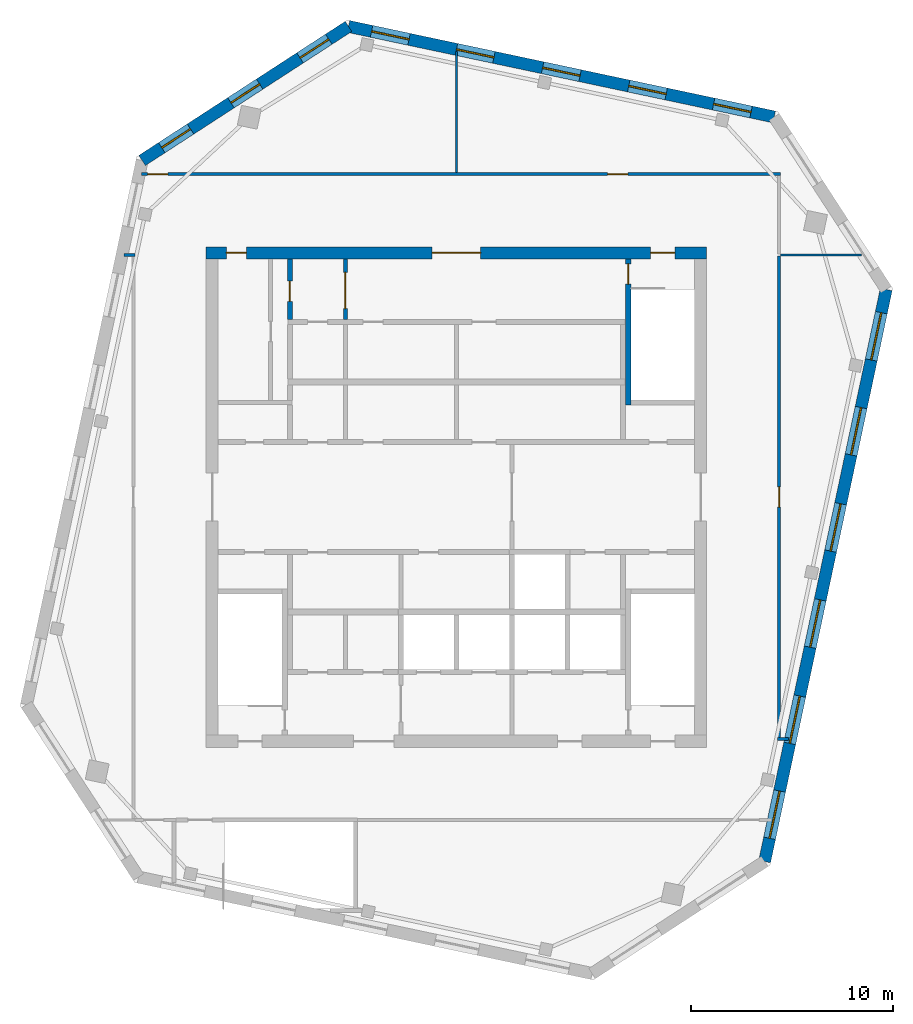
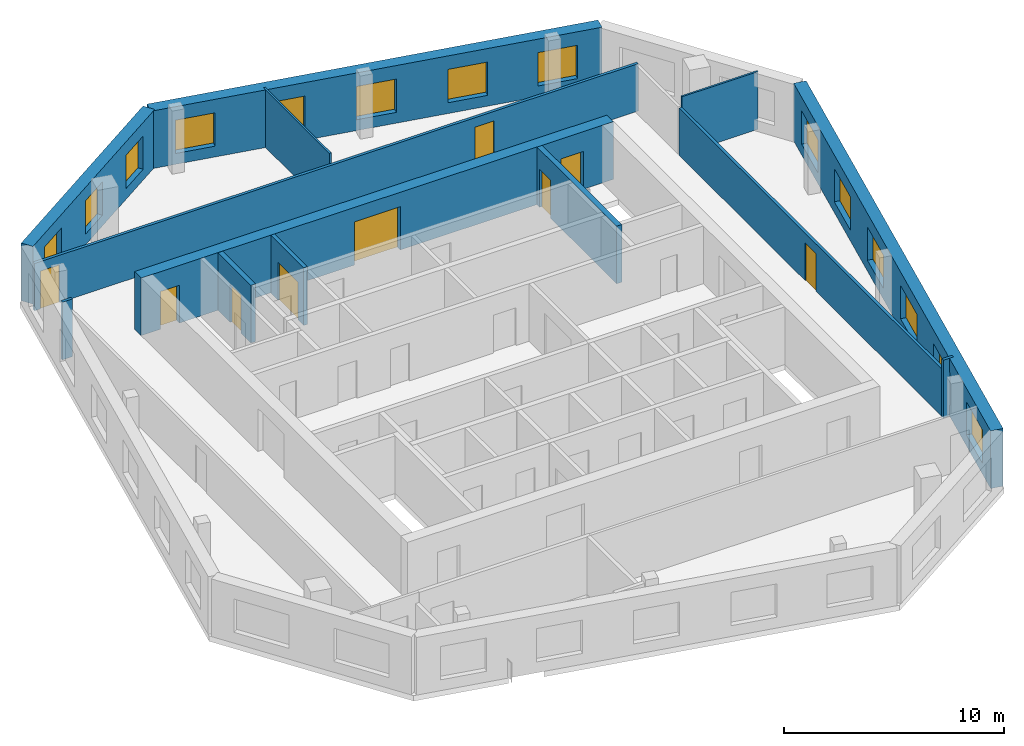
# One storey, part 4 of 6: 14 windows, 13 walls, 9 doors, 23 openings.
"""IFC4 building model written with IfcOpenShell, lengths in metres."""

from ifc_helpers import new_model, si_unit, direction, frame, frame_2d, origin, place, context, subcontext, project, spatial, rectangle, extrude, material, layer, layer_set, type_object, element, fill, save


model = new_model("IFC4")

# Units and contexts
model_context = context("Model", 3, precision=1e-05, world=origin(), true_north=direction((0.0, 1.0)))
body_context = subcontext(model_context, "Body", "Model", "MODEL_VIEW")
ifc_project = project(units=[si_unit("LENGTHUNIT", "METRE"), si_unit("AREAUNIT", "SQUARE_METRE"), si_unit("VOLUMEUNIT", "CUBIC_METRE"), si_unit("PLANEANGLEUNIT", "RADIAN"), si_unit("MASSUNIT", "GRAM", prefix="KILO")], contexts=[model_context])

# Site, building, storey
site_placement = place(None, origin())
site = spatial("IfcSite", under=ifc_project, at=site_placement, CompositionType="ELEMENT")
building_placement = place(site_placement, origin())
building = spatial("IfcBuilding", under=site, at=building_placement, Name="Dilmun Exchange Tower", CompositionType="ELEMENT")
storey_placement = place(building_placement, frame((0.0, 0.0, 373.10009765625)))
storey = spatial("IfcBuildingStorey", under=building, at=storey_placement, Name="Crown L87", CompositionType="ELEMENT", Elevation=373.10009765625)

# Wall, opening, door
ifc_material_1 = material(Name="Concrete C40/50", Category="concrete")
ifc_layer_1 = layer(ifc_material_1, 0.199951171875)
ifc_layer_set_1 = layer_set([ifc_layer_1], Name="Concrete C40/50")
wall_type_1 = type_object("IfcWallType", Name="Core partition wall 200", PredefinedType="PARTITIONING", material=ifc_layer_set_1)
wall_1_placement = place(storey_placement, frame((-5.5, 8.804931640625, 0.0), z_axis=(0.0, 0.0, 1.0), x_axis=(0.0, 1.0, 0.0)))
wall_1 = element("IfcWall", 1, at=wall_1_placement, inside=storey, type_object=wall_type_1, Name="Crown L87 core partition wall 28", PredefinedType="PARTITIONING", context=body_context, shape_type="SweptSolid", body=[
    extrude(rectangle(XDim=2.989990234375, YDim=0.199951171875, at=frame_2d((1.4951171875, 0.0))), origin(), (0.0, 0.0, 1.0), 3.199951171875),
])
opening_1_placement = place(wall_1_placement, frame((0.532470703125, 0.0, 0.0)))
opening_1 = element("IfcOpeningElement", 2, at=opening_1_placement, cuts=wall_1, Name="Opening CD5", PredefinedType="OPENING", context=body_context, shape_type="SweptSolid", body=[
    extrude(rectangle(XDim=1.800048828125, YDim=2.10009765625, at=frame_2d((0.89990234375, 1.050048828125))), frame((0.0, 0.10986328125, 0.0), z_axis=(0.0, -1.0, 0.0), x_axis=(1.0, 0.0, 0.0)), (0.0, 0.0, 1.0), 0.219970703125),
])
ifc_material_2 = material(Name="Fire-rated steel door set", Category="steel")
door_type_1 = type_object("IfcDoorType", Name="Stair exit door 1800x2100", OperationType="SINGLE_SWING_LEFT", PredefinedType="DOOR", material=ifc_material_2)
door_1_placement = place(opening_1_placement, origin())
door_1 = element("IfcDoor", 3, at=door_1_placement, inside=storey, type_object=door_type_1, Name="Crown L87 door Core corridor east", OperationType="SINGLE_SWING_LEFT", OverallHeight=2.10009765625, OverallWidth=1.800048828125, PredefinedType="DOOR", context=body_context, shape_type="SweptSolid", body=[
    extrude(rectangle(XDim=1.800048828125, YDim=2.10009765625, at=frame_2d((0.89990234375, 1.050048828125))), frame((0.0, 0.02490234375, 0.0), z_axis=(0.0, -1.0, 0.0), x_axis=(1.0, 0.0, 0.0)), (0.0, 0.0, 1.0), 0.050048828125),
])
fill(opening_1, door_1)

ifc_layer_2 = layer(ifc_material_1, 0.25)
ifc_layer_set_2 = layer_set([ifc_layer_2], Name="Concrete C40/50")
wall_type_2 = type_object("IfcWallType", Name="Core partition wall 250", PredefinedType="PARTITIONING", material=ifc_layer_set_2)
wall_2_placement = place(storey_placement, frame((-8.25, 8.804931640625, 0.0), z_axis=(0.0, 0.0, 1.0), x_axis=(0.0, 1.0, 0.0)))
wall_2 = element("IfcWall", 4, at=wall_2_placement, inside=storey, type_object=wall_type_2, Name="Crown L87 core partition wall 27", PredefinedType="PARTITIONING", context=body_context, shape_type="SweptSolid", body=[
    extrude(rectangle(XDim=2.989990234375, YDim=0.25, at=frame_2d((1.4951171875, 0.0))), origin(), (0.0, 0.0, 1.0), 3.199951171875),
])
opening_2_placement = place(wall_2_placement, frame((0.89501953125, 0.0, 0.0)))
opening_2 = element("IfcOpeningElement", 5, at=opening_2_placement, cuts=wall_2, Name="Opening CD4", PredefinedType="OPENING", context=body_context, shape_type="SweptSolid", body=[
    extrude(rectangle(XDim=1.0, YDim=2.10009765625, at=frame_2d((0.5, 1.050048828125))), frame((0.0, 0.135009765625, 0.0), z_axis=(0.0, -1.0, 0.0), x_axis=(1.0, 0.0, 0.0)), (0.0, 0.0, 1.0), 0.27001953125),
])
door_type_2 = type_object("IfcDoorType", Name="Core room door 1000x2100", OperationType="SINGLE_SWING_LEFT", PredefinedType="DOOR", material=ifc_material_2)
door_2_placement = place(opening_2_placement, origin())
door_2 = element("IfcDoor", 6, at=door_2_placement, inside=storey, type_object=door_type_2, Name="Crown L87 door Tenant services room", OperationType="SINGLE_SWING_RIGHT", OverallHeight=2.10009765625, OverallWidth=1.0, PredefinedType="DOOR", context=body_context, shape_type="SweptSolid", body=[
    extrude(rectangle(XDim=1.0, YDim=2.10009765625, at=frame_2d((0.5, 1.050048828125))), frame((0.0, 0.02490234375, 0.0), z_axis=(0.0, -1.0, 0.0), x_axis=(1.0, 0.0, 0.0)), (0.0, 0.0, 1.0), 0.050048828125),
])
fill(opening_2, door_2)

# Wall, openings, doors
ifc_material_3 = material(Name="Concrete C50/60", Category="concrete")
ifc_layer_3 = layer(ifc_material_3, 0.60009765625)
ifc_layer_set_3 = layer_set([ifc_layer_3], Name="Concrete C50/60")
wall_type_3 = type_object("IfcWallType", Name="Core shear wall 600 Concrete C50/60", PredefinedType="SHEAR", material=ifc_layer_set_3)
wall_3_placement = place(storey_placement, frame((-12.39990234375, 12.10009765625, 0.0), z_axis=(0.0, 0.0, 1.0), x_axis=(1.0, 0.0, 0.0)))
wall_3 = element("IfcWall", 7, at=wall_3_placement, inside=storey, type_object=wall_type_3, Name="Crown L87 core shear wall N", PredefinedType="SHEAR", context=body_context, shape_type="SweptSolid", body=[
    extrude(rectangle(XDim=24.7998046875, YDim=0.60009765625, at=frame_2d((12.39990234375, 0.0))), origin(), (0.0, 0.0, 1.0), 3.199951171875),
])
opening_3_placement = place(wall_3_placement, frame((11.199951171875, 0.0, 0.0)))
opening_3 = element("IfcOpeningElement", 8, at=opening_3_placement, cuts=wall_3, Name="Opening CD1", PredefinedType="OPENING", context=body_context, shape_type="SweptSolid", body=[
    extrude(rectangle(XDim=2.39990234375, YDim=2.39990234375, at=frame_2d((1.199951171875, 1.199951171875))), frame((0.0, 0.31005859375, 0.0), z_axis=(0.0, -1.0, 0.0), x_axis=(1.0, 0.0, 0.0)), (0.0, 0.0, 1.0), 0.6201171875),
])
opening_4_placement = place(wall_3_placement, frame((22.02490234375, 0.0, 0.0)))
opening_4 = element("IfcOpeningElement", 9, at=opening_4_placement, cuts=wall_3, Name="Opening CD3", PredefinedType="OPENING", context=body_context, shape_type="SweptSolid", body=[
    extrude(rectangle(XDim=1.199951171875, YDim=2.10009765625, at=frame_2d((0.60009765625, 1.050048828125))), frame((0.0, 0.31005859375, 0.0), z_axis=(0.0, -1.0, 0.0), x_axis=(1.0, 0.0, 0.0)), (0.0, 0.0, 1.0), 0.6201171875),
])
opening_5_placement = place(wall_3_placement, frame((1.0, 0.0, 0.0)))
opening_5 = element("IfcOpeningElement", 10, at=opening_5_placement, cuts=wall_3, Name="Opening CD4", PredefinedType="OPENING", context=body_context, shape_type="SweptSolid", body=[
    extrude(rectangle(XDim=1.0, YDim=2.10009765625, at=frame_2d((0.5, 1.050048828125))), frame((0.0, 0.31005859375, 0.0), z_axis=(0.0, -1.0, 0.0), x_axis=(1.0, 0.0, 0.0)), (0.0, 0.0, 1.0), 0.6201171875),
])
door_type_3 = type_object("IfcDoorType", Name="Core lobby door 2400x2400", OperationType="DOUBLE_DOOR_DOUBLE_SWING", PredefinedType="DOOR", material=ifc_material_2)
door_3_placement = place(opening_3_placement, origin())
door_3 = element("IfcDoor", 11, at=door_3_placement, inside=storey, type_object=door_type_3, Name="Crown L87 door North lift lobby", OperationType="SINGLE_SWING_LEFT", OverallHeight=2.39990234375, OverallWidth=2.39990234375, PredefinedType="DOOR", context=body_context, shape_type="SweptSolid", body=[
    extrude(rectangle(XDim=2.39990234375, YDim=2.39990234375, at=frame_2d((1.199951171875, 1.199951171875))), frame((0.0, 0.02490234375, 0.0), z_axis=(0.0, -1.0, 0.0), x_axis=(1.0, 0.0, 0.0)), (0.0, 0.0, 1.0), 0.050048828125),
])
fill(opening_3, door_3)
door_4_placement = place(opening_5_placement, origin())
door_4 = element("IfcDoor", 12, at=door_4_placement, inside=storey, type_object=door_type_2, Name="Crown L87 door North-west core rooms", OperationType="SINGLE_SWING_LEFT", OverallHeight=2.10009765625, OverallWidth=1.0, PredefinedType="DOOR", context=body_context, shape_type="SweptSolid", body=[
    extrude(rectangle(XDim=1.0, YDim=2.10009765625, at=frame_2d((0.5, 1.050048828125))), frame((0.0, 0.02490234375, 0.0), z_axis=(0.0, -1.0, 0.0), x_axis=(1.0, 0.0, 0.0)), (0.0, 0.0, 1.0), 0.050048828125),
])
fill(opening_5, door_4)
door_type_4 = type_object("IfcDoorType", Name="Stair exit door 1200x2100", OperationType="SINGLE_SWING_LEFT", PredefinedType="DOOR", material=ifc_material_2)
door_5_placement = place(opening_4_placement, origin())
door_5 = element("IfcDoor", 13, at=door_5_placement, inside=storey, type_object=door_type_4, Name="Crown L87 door Stair ST1", OperationType="SINGLE_SWING_LEFT", OverallHeight=2.10009765625, OverallWidth=1.199951171875, PredefinedType="DOOR", context=body_context, shape_type="SweptSolid", body=[
    extrude(rectangle(XDim=1.199951171875, YDim=2.10009765625, at=frame_2d((0.60009765625, 1.050048828125))), frame((0.0, 0.02490234375, 0.0), z_axis=(0.0, -1.0, 0.0), x_axis=(1.0, 0.0, 0.0)), (0.0, 0.0, 1.0), 0.050048828125),
])
fill(opening_4, door_5)

# Walls
ifc_material_4 = material(Name="Fire partition EI 60 150 gypsum")
ifc_layer_4 = layer(ifc_material_4, 0.14990234375)
ifc_layer_set_4 = layer_set([ifc_layer_4], Name="Fire partition EI 60 150 gypsum")
wall_type_4 = type_object("IfcWallType", Name="Fire partition EI 60 150 gypsum", PredefinedType="PARTITIONING", material=ifc_layer_set_4)
for number, where, z_axis, x_axis, name in (
    (14, (15.925048828125, -12.0, 0.0), (0.0, 0.0, 1.0), (1.0, 0.0, 0.0), "Crown L87 partition"),
    (15, (-16.46484375, 12.0, 0.0), (0.0, 0.0, 1.0), (1.0, 0.0, 0.0), "Crown L87 partition"),
):
    element("IfcWall", number, at=place(storey_placement, frame(where, z_axis=z_axis, x_axis=x_axis)), inside=storey, type_object=wall_type_4, Name=name, PredefinedType="PARTITIONING", context=body_context, shape_type="SweptSolid", body=[
        extrude(rectangle(XDim=0.539794921875, YDim=0.14990234375, at=frame_2d((0.27001953125, 0.0))), origin(), (0.0, 0.0, 1.0), 3.199951171875),
    ])

# Wall, openings, doors
wall_4_placement = place(storey_placement, frame((-15.614501953125, 16.0, 0.0), z_axis=(0.0, 0.0, 1.0), x_axis=(1.0, 0.0, 0.0)))
wall_4 = element("IfcWall", 16, at=wall_4_placement, inside=storey, type_object=wall_type_4, Name="Crown L87 partition", PredefinedType="PARTITIONING", context=body_context, shape_type="SweptSolid", body=[
    extrude(rectangle(XDim=31.689453125, YDim=0.14990234375, at=frame_2d((15.8447265625, 0.0))), origin(), (0.0, 0.0, 1.0), 2.6298828125),
])
opening_6_placement = place(wall_4_placement, frame((0.314697265625, 0.0, 0.0)))
opening_6 = element("IfcOpeningElement", 17, at=opening_6_placement, cuts=wall_4, Name="Opening CrownL87-D002", PredefinedType="OPENING", context=body_context, shape_type="SweptSolid", body=[
    extrude(rectangle(XDim=1.0, YDim=2.10009765625, at=frame_2d((0.5, 1.050048828125))), frame((0.0, 0.0849609375, 0.0), z_axis=(0.0, -1.0, 0.0), x_axis=(1.0, 0.0, 0.0)), (0.0, 0.0, 1.0), 0.169921875),
])
opening_7_placement = place(wall_4_placement, frame((23.114501953125, 0.0, 0.0)))
opening_7 = element("IfcOpeningElement", 18, at=opening_7_placement, cuts=wall_4, Name="Opening CrownL87-D003", PredefinedType="OPENING", context=body_context, shape_type="SweptSolid", body=[
    extrude(rectangle(XDim=1.0, YDim=2.10009765625, at=frame_2d((0.5, 1.050048828125))), frame((0.0, 0.0849609375, 0.0), z_axis=(0.0, -1.0, 0.0), x_axis=(1.0, 0.0, 0.0)), (0.0, 0.0, 1.0), 0.169921875),
])
ifc_material_5 = material(Name="Fire door FD60 1000 x 2100")
door_type_5 = type_object("IfcDoorType", Name="Fire door FD60 1000 x 2100", OperationType="SINGLE_SWING_LEFT", PredefinedType="DOOR", material=ifc_material_5)
door_6_placement = place(opening_6_placement, origin())
door_6 = element("IfcDoor", 19, at=door_6_placement, inside=storey, type_object=door_type_5, Name="Crown L87 door CrownL87-D002", OperationType="SINGLE_SWING_RIGHT", OverallHeight=2.10009765625, OverallWidth=1.0, PredefinedType="DOOR", context=body_context, shape_type="SweptSolid", body=[
    extrude(rectangle(XDim=1.0, YDim=2.10009765625, at=frame_2d((0.5, 1.050048828125))), frame((0.0, 0.02490234375, 0.0), z_axis=(0.0, -1.0, 0.0), x_axis=(1.0, 0.0, 0.0)), (0.0, 0.0, 1.0), 0.050048828125),
])
fill(opening_6, door_6)
door_7_placement = place(opening_7_placement, origin())
door_7 = element("IfcDoor", 20, at=door_7_placement, inside=storey, type_object=door_type_5, Name="Crown L87 door CrownL87-D003", OperationType="SINGLE_SWING_LEFT", OverallHeight=2.10009765625, OverallWidth=1.0, PredefinedType="DOOR", context=body_context, shape_type="SweptSolid", body=[
    extrude(rectangle(XDim=1.0, YDim=2.10009765625, at=frame_2d((0.5, 1.050048828125))), frame((0.0, 0.02490234375, 0.0), z_axis=(0.0, -1.0, 0.0), x_axis=(1.0, 0.0, 0.0)), (0.0, 0.0, 1.0), 0.050048828125),
])
fill(opening_7, door_7)

# Wall, opening, door
wall_5_placement = place(storey_placement, frame((16.0, -11.925048828125, 0.0), z_axis=(0.0, 0.0, 1.0), x_axis=(0.0, 1.0, 0.0)))
wall_5 = element("IfcWall", 21, at=wall_5_placement, inside=storey, type_object=wall_type_4, Name="Crown L87 partition", PredefinedType="PARTITIONING", context=body_context, shape_type="SweptSolid", body=[
    extrude(rectangle(XDim=23.875, YDim=0.14990234375, at=frame_2d((11.9375, 0.0))), origin(), (0.0, 0.0, 1.0), 2.6298828125),
])
opening_8_placement = place(wall_5_placement, frame((11.425048828125, 0.0, 0.0)))
opening_8 = element("IfcOpeningElement", 22, at=opening_8_placement, cuts=wall_5, Name="Opening CrownL87-D007", PredefinedType="OPENING", context=body_context, shape_type="SweptSolid", body=[
    extrude(rectangle(XDim=1.0, YDim=2.10009765625, at=frame_2d((0.5, 1.050048828125))), frame((0.0, 0.0849609375, 0.0), z_axis=(0.0, -1.0, 0.0), x_axis=(1.0, 0.0, 0.0)), (0.0, 0.0, 1.0), 0.169921875),
])
door_8_placement = place(opening_8_placement, origin())
door_8 = element("IfcDoor", 23, at=door_8_placement, inside=storey, type_object=door_type_5, Name="Crown L87 door CrownL87-D007", OperationType="SINGLE_SWING_LEFT", OverallHeight=2.10009765625, OverallWidth=1.0, PredefinedType="DOOR", context=body_context, shape_type="SweptSolid", body=[
    extrude(rectangle(XDim=1.0, YDim=2.10009765625, at=frame_2d((0.5, 1.050048828125))), frame((0.0, 0.02490234375, 0.0), z_axis=(0.0, -1.0, 0.0), x_axis=(1.0, 0.0, 0.0)), (0.0, 0.0, 1.0), 0.050048828125),
])
fill(opening_8, door_8)

# Walls
ifc_material_6 = material(Name="Partition 100 gypsum")
ifc_layer_5 = layer(ifc_material_6, 0.10009765625)
ifc_layer_set_5 = layer_set([ifc_layer_5], Name="Partition 100 gypsum")
wall_type_5 = type_object("IfcWallType", Name="Partition 100 gypsum", PredefinedType="PARTITIONING", material=ifc_layer_set_5)
wall_6_placement = place(storey_placement, frame((16.074951171875, 12.0, 0.0), z_axis=(0.0, 0.0, 1.0), x_axis=(1.0, 0.0, 0.0)))
element("IfcWall", 24, at=wall_6_placement, inside=storey, type_object=wall_type_5, Name="Crown L87 partition", PredefinedType="PARTITIONING", context=body_context, shape_type="SweptSolid", body=[
    extrude(rectangle(XDim=3.9970703125, YDim=0.10009765625, at=frame_2d((1.99853515625, 0.0))), origin(), (0.0, 0.0, 1.0), 3.199951171875),
])
wall_7_placement = place(storey_placement, frame((0.0, 16.074951171875, 0.0), z_axis=(0.0, 0.0, 1.0), x_axis=(0.0, 1.0, 0.0)))
element("IfcWall", 25, at=wall_7_placement, inside=storey, type_object=wall_type_5, Name="Crown L87 partition", PredefinedType="PARTITIONING", context=body_context, shape_type="SweptSolid", body=[
    extrude(rectangle(XDim=6.007568359375, YDim=0.10009765625, at=frame_2d((3.00390625, 0.0))), origin(), (0.0, 0.0, 1.0), 3.199951171875),
])

# Wall, openings, windows
ifc_material_7 = material(Name="Precast concrete C50/60", Category="concrete")
ifc_layer_6 = layer(ifc_material_7, 0.60009765625)
ifc_layer_set_6 = layer_set([ifc_layer_6], Name="Precast concrete C50/60")
wall_type_6 = type_object("IfcWallType", Name="Precast stone-clad wall 600", PredefinedType="STANDARD", material=ifc_layer_set_6)
wall_8_placement = place(storey_placement, frame((15.278564453125, -18.062255859375, 0.0), z_axis=(0.0, 0.0, 1.0), x_axis=(0.207909936091, 0.978147973711, 0.0)))
wall_8 = element("IfcWall", 26, at=wall_8_placement, inside=storey, type_object=wall_type_6, Name="Facade wall Crown L87-01", PredefinedType="STANDARD", context=body_context, shape_type="SweptSolid", body=[
    extrude(rectangle(XDim=28.98193359375, YDim=0.60009765625, at=frame_2d((14.490966796875, 0.0))), origin(), (0.0, 0.0, 1.0), 3.199951171875),
])
opening_9_placement = place(wall_8_placement, frame((1.173583984375, 0.0, 0.60009765625)))
opening_9 = element("IfcOpeningElement", 27, at=opening_9_placement, cuts=wall_8, Name="Opening LV240-185", PredefinedType="OPENING", context=body_context, shape_type="SweptSolid", body=[
    extrude(rectangle(XDim=2.39990234375, YDim=1.85009765625, at=frame_2d((1.199951171875, 0.925048828125))), frame((0.0, 0.31005859375, 0.0), z_axis=(0.0, -1.0, 0.0), x_axis=(1.0, 0.0, 0.0)), (0.0, 0.0, 1.0), 0.6201171875),
])
opening_10_placement = place(wall_8_placement, frame((5.9833984375, 0.0, 0.60009765625)))
opening_10 = element("IfcOpeningElement", 28, at=opening_10_placement, cuts=wall_8, Name="Opening LV240-185", PredefinedType="OPENING", context=body_context, shape_type="SweptSolid", body=[
    extrude(rectangle(XDim=2.39990234375, YDim=1.85009765625, at=frame_2d((1.199951171875, 0.925048828125))), frame((0.0, 0.31005859375, 0.0), z_axis=(0.0, -1.0, 0.0), x_axis=(1.0, 0.0, 0.0)), (0.0, 0.0, 1.0), 0.6201171875),
])
opening_11_placement = place(wall_8_placement, frame((10.85498046875, 0.0, 0.60009765625)))
opening_11 = element("IfcOpeningElement", 29, at=opening_11_placement, cuts=wall_8, Name="Opening LV240-185", PredefinedType="OPENING", context=body_context, shape_type="SweptSolid", body=[
    extrude(rectangle(XDim=2.39990234375, YDim=1.85009765625, at=frame_2d((1.199951171875, 0.925048828125))), frame((0.0, 0.31005859375, 0.0), z_axis=(0.0, -1.0, 0.0), x_axis=(1.0, 0.0, 0.0)), (0.0, 0.0, 1.0), 0.6201171875),
])
opening_12_placement = place(wall_8_placement, frame((15.726806640625, 0.0, 0.60009765625)))
opening_12 = element("IfcOpeningElement", 30, at=opening_12_placement, cuts=wall_8, Name="Opening LV240-185", PredefinedType="OPENING", context=body_context, shape_type="SweptSolid", body=[
    extrude(rectangle(XDim=2.39990234375, YDim=1.85009765625, at=frame_2d((1.199951171875, 0.925048828125))), frame((0.0, 0.31005859375, 0.0), z_axis=(0.0, -1.0, 0.0), x_axis=(1.0, 0.0, 0.0)), (0.0, 0.0, 1.0), 0.6201171875),
])
opening_13_placement = place(wall_8_placement, frame((20.5986328125, 0.0, 0.60009765625)))
opening_13 = element("IfcOpeningElement", 31, at=opening_13_placement, cuts=wall_8, Name="Opening LV240-185", PredefinedType="OPENING", context=body_context, shape_type="SweptSolid", body=[
    extrude(rectangle(XDim=2.39990234375, YDim=1.85009765625, at=frame_2d((1.199951171875, 0.925048828125))), frame((0.0, 0.31005859375, 0.0), z_axis=(0.0, -1.0, 0.0), x_axis=(1.0, 0.0, 0.0)), (0.0, 0.0, 1.0), 0.6201171875),
])
opening_14_placement = place(wall_8_placement, frame((25.408203125, 0.0, 0.60009765625)))
opening_14 = element("IfcOpeningElement", 32, at=opening_14_placement, cuts=wall_8, Name="Opening LV240-185", PredefinedType="OPENING", context=body_context, shape_type="SweptSolid", body=[
    extrude(rectangle(XDim=2.39990234375, YDim=1.85009765625, at=frame_2d((1.199951171875, 0.925048828125))), frame((0.0, 0.31005859375, 0.0), z_axis=(0.0, -1.0, 0.0), x_axis=(1.0, 0.0, 0.0)), (0.0, 0.0, 1.0), 0.6201171875),
])
ifc_material_8 = material(Name="Anodised aluminium louvre blades with sand trap", Category="aluminium")
window_type_1 = type_object("IfcWindowType", Name="Plant louvre 2400 x 1850", PartitioningType="SINGLE_PANEL", PredefinedType="USERDEFINED", material=ifc_material_8)
window_1_placement = place(opening_9_placement, origin())
window_1 = element("IfcWindow", 33, at=window_1_placement, inside=storey, type_object=window_type_1, Name="Plant louvre 2.1", ObjectType="LOUVRE", OverallHeight=1.85009765625, OverallWidth=2.39990234375, PartitioningType="SINGLE_PANEL", PredefinedType="USERDEFINED", context=body_context, shape_type="SweptSolid", body=[
    extrude(rectangle(XDim=2.39990234375, YDim=1.85009765625, at=frame_2d((1.199951171875, 0.925048828125))), frame((0.0, 0.030029296875, 0.0), z_axis=(0.0, -1.0, 0.0), x_axis=(1.0, 0.0, 0.0)), (0.0, 0.0, 1.0), 0.06005859375),
])
fill(opening_9, window_1)
window_2_placement = place(opening_10_placement, origin())
window_2 = element("IfcWindow", 34, at=window_2_placement, inside=storey, type_object=window_type_1, Name="Plant louvre 2.2", ObjectType="LOUVRE", OverallHeight=1.85009765625, OverallWidth=2.39990234375, PartitioningType="SINGLE_PANEL", PredefinedType="USERDEFINED", context=body_context, shape_type="SweptSolid", body=[
    extrude(rectangle(XDim=2.39990234375, YDim=1.85009765625, at=frame_2d((1.199951171875, 0.925048828125))), frame((0.0, 0.030029296875, 0.0), z_axis=(0.0, -1.0, 0.0), x_axis=(1.0, 0.0, 0.0)), (0.0, 0.0, 1.0), 0.06005859375),
])
fill(opening_10, window_2)
window_3_placement = place(opening_11_placement, origin())
window_3 = element("IfcWindow", 35, at=window_3_placement, inside=storey, type_object=window_type_1, Name="Plant louvre 2.3", ObjectType="LOUVRE", OverallHeight=1.85009765625, OverallWidth=2.39990234375, PartitioningType="SINGLE_PANEL", PredefinedType="USERDEFINED", context=body_context, shape_type="SweptSolid", body=[
    extrude(rectangle(XDim=2.39990234375, YDim=1.85009765625, at=frame_2d((1.199951171875, 0.925048828125))), frame((0.0, 0.030029296875, 0.0), z_axis=(0.0, -1.0, 0.0), x_axis=(1.0, 0.0, 0.0)), (0.0, 0.0, 1.0), 0.06005859375),
])
fill(opening_11, window_3)
window_4_placement = place(opening_12_placement, origin())
window_4 = element("IfcWindow", 36, at=window_4_placement, inside=storey, type_object=window_type_1, Name="Plant louvre 2.4", ObjectType="LOUVRE", OverallHeight=1.85009765625, OverallWidth=2.39990234375, PartitioningType="SINGLE_PANEL", PredefinedType="USERDEFINED", context=body_context, shape_type="SweptSolid", body=[
    extrude(rectangle(XDim=2.39990234375, YDim=1.85009765625, at=frame_2d((1.199951171875, 0.925048828125))), frame((0.0, 0.030029296875, 0.0), z_axis=(0.0, -1.0, 0.0), x_axis=(1.0, 0.0, 0.0)), (0.0, 0.0, 1.0), 0.06005859375),
])
fill(opening_12, window_4)
window_5_placement = place(opening_13_placement, origin())
window_5 = element("IfcWindow", 37, at=window_5_placement, inside=storey, type_object=window_type_1, Name="Plant louvre 2.5", ObjectType="LOUVRE", OverallHeight=1.85009765625, OverallWidth=2.39990234375, PartitioningType="SINGLE_PANEL", PredefinedType="USERDEFINED", context=body_context, shape_type="SweptSolid", body=[
    extrude(rectangle(XDim=2.39990234375, YDim=1.85009765625, at=frame_2d((1.199951171875, 0.925048828125))), frame((0.0, 0.030029296875, 0.0), z_axis=(0.0, -1.0, 0.0), x_axis=(1.0, 0.0, 0.0)), (0.0, 0.0, 1.0), 0.06005859375),
])
fill(opening_13, window_5)
window_6_placement = place(opening_14_placement, origin())
window_6 = element("IfcWindow", 38, at=window_6_placement, inside=storey, type_object=window_type_1, Name="Plant louvre 2.6", ObjectType="LOUVRE", OverallHeight=1.85009765625, OverallWidth=2.39990234375, PartitioningType="SINGLE_PANEL", PredefinedType="USERDEFINED", context=body_context, shape_type="SweptSolid", body=[
    extrude(rectangle(XDim=2.39990234375, YDim=1.85009765625, at=frame_2d((1.199951171875, 0.925048828125))), frame((0.0, 0.030029296875, 0.0), z_axis=(0.0, -1.0, 0.0), x_axis=(1.0, 0.0, 0.0)), (0.0, 0.0, 1.0), 0.06005859375),
])
fill(opening_14, window_6)

wall_9_placement = place(storey_placement, frame((15.75146484375, 18.836669921875, 0.0), z_axis=(0.0, 0.0, 1.0), x_axis=(-0.978148118813, 0.207909253431, 0.0)))
wall_9 = element("IfcWall", 39, at=wall_9_placement, inside=storey, type_object=wall_type_6, Name="Facade wall Crown L87-03", PredefinedType="STANDARD", context=body_context, shape_type="SweptSolid", body=[
    extrude(rectangle(XDim=21.567626953125, YDim=0.60009765625, at=frame_2d((10.78369140625, 0.0))), origin(), (0.0, 0.0, 1.0), 3.199951171875),
])
opening_15_placement = place(wall_9_placement, frame((1.16943359375, 0.0, 0.60009765625)))
opening_15 = element("IfcOpeningElement", 40, at=opening_15_placement, cuts=wall_9, Name="Opening LV190-185", PredefinedType="OPENING", context=body_context, shape_type="SweptSolid", body=[
    extrude(rectangle(XDim=1.89990234375, YDim=1.85009765625, at=frame_2d((0.949951171875, 0.925048828125))), frame((0.0, 0.31005859375, 0.0), z_axis=(0.0, -1.0, 0.0), x_axis=(1.0, 0.0, 0.0)), (0.0, 0.0, 1.0), 0.6201171875),
])
opening_16_placement = place(wall_9_placement, frame((5.470703125, 0.0, 0.60009765625)))
opening_16 = element("IfcOpeningElement", 41, at=opening_16_placement, cuts=wall_9, Name="Opening LV190-185", PredefinedType="OPENING", context=body_context, shape_type="SweptSolid", body=[
    extrude(rectangle(XDim=1.89990234375, YDim=1.85009765625, at=frame_2d((0.949951171875, 0.925048828125))), frame((0.0, 0.31005859375, 0.0), z_axis=(0.0, -1.0, 0.0), x_axis=(1.0, 0.0, 0.0)), (0.0, 0.0, 1.0), 0.6201171875),
])
opening_17_placement = place(wall_9_placement, frame((9.833984375, 0.0, 0.60009765625)))
opening_17 = element("IfcOpeningElement", 42, at=opening_17_placement, cuts=wall_9, Name="Opening LV190-185", PredefinedType="OPENING", context=body_context, shape_type="SweptSolid", body=[
    extrude(rectangle(XDim=1.89990234375, YDim=1.85009765625, at=frame_2d((0.949951171875, 0.925048828125))), frame((0.0, 0.31005859375, 0.0), z_axis=(0.0, -1.0, 0.0), x_axis=(1.0, 0.0, 0.0)), (0.0, 0.0, 1.0), 0.6201171875),
])
opening_18_placement = place(wall_9_placement, frame((14.197021484375, 0.0, 0.60009765625)))
opening_18 = element("IfcOpeningElement", 43, at=opening_18_placement, cuts=wall_9, Name="Opening LV190-185", PredefinedType="OPENING", context=body_context, shape_type="SweptSolid", body=[
    extrude(rectangle(XDim=1.89990234375, YDim=1.85009765625, at=frame_2d((0.949951171875, 0.925048828125))), frame((0.0, 0.31005859375, 0.0), z_axis=(0.0, -1.0, 0.0), x_axis=(1.0, 0.0, 0.0)), (0.0, 0.0, 1.0), 0.6201171875),
])
opening_19_placement = place(wall_9_placement, frame((18.498291015625, 0.0, 0.60009765625)))
opening_19 = element("IfcOpeningElement", 44, at=opening_19_placement, cuts=wall_9, Name="Opening LV190-185", PredefinedType="OPENING", context=body_context, shape_type="SweptSolid", body=[
    extrude(rectangle(XDim=1.89990234375, YDim=1.85009765625, at=frame_2d((0.949951171875, 0.925048828125))), frame((0.0, 0.31005859375, 0.0), z_axis=(0.0, -1.0, 0.0), x_axis=(1.0, 0.0, 0.0)), (0.0, 0.0, 1.0), 0.6201171875),
])
window_type_2 = type_object("IfcWindowType", Name="Plant louvre 1900 x 1850", PartitioningType="SINGLE_PANEL", PredefinedType="USERDEFINED", material=ifc_material_8)
window_7_placement = place(opening_15_placement, origin())
window_7 = element("IfcWindow", 45, at=window_7_placement, inside=storey, type_object=window_type_2, Name="Plant louvre 4.1", ObjectType="LOUVRE", OverallHeight=1.85009765625, OverallWidth=1.89990234375, PartitioningType="SINGLE_PANEL", PredefinedType="USERDEFINED", context=body_context, shape_type="SweptSolid", body=[
    extrude(rectangle(XDim=1.89990234375, YDim=1.85009765625, at=frame_2d((0.949951171875, 0.925048828125))), frame((0.0, 0.030029296875, 0.0), z_axis=(0.0, -1.0, 0.0), x_axis=(1.0, 0.0, 0.0)), (0.0, 0.0, 1.0), 0.06005859375),
])
fill(opening_15, window_7)
window_8_placement = place(opening_16_placement, origin())
window_8 = element("IfcWindow", 46, at=window_8_placement, inside=storey, type_object=window_type_2, Name="Plant louvre 4.2", ObjectType="LOUVRE", OverallHeight=1.85009765625, OverallWidth=1.89990234375, PartitioningType="SINGLE_PANEL", PredefinedType="USERDEFINED", context=body_context, shape_type="SweptSolid", body=[
    extrude(rectangle(XDim=1.89990234375, YDim=1.85009765625, at=frame_2d((0.949951171875, 0.925048828125))), frame((0.0, 0.030029296875, 0.0), z_axis=(0.0, -1.0, 0.0), x_axis=(1.0, 0.0, 0.0)), (0.0, 0.0, 1.0), 0.06005859375),
])
fill(opening_16, window_8)
window_9_placement = place(opening_17_placement, origin())
window_9 = element("IfcWindow", 47, at=window_9_placement, inside=storey, type_object=window_type_2, Name="Plant louvre 4.3", ObjectType="LOUVRE", OverallHeight=1.85009765625, OverallWidth=1.89990234375, PartitioningType="SINGLE_PANEL", PredefinedType="USERDEFINED", context=body_context, shape_type="SweptSolid", body=[
    extrude(rectangle(XDim=1.89990234375, YDim=1.85009765625, at=frame_2d((0.949951171875, 0.925048828125))), frame((0.0, 0.030029296875, 0.0), z_axis=(0.0, -1.0, 0.0), x_axis=(1.0, 0.0, 0.0)), (0.0, 0.0, 1.0), 0.06005859375),
])
fill(opening_17, window_9)
window_10_placement = place(opening_18_placement, origin())
window_10 = element("IfcWindow", 48, at=window_10_placement, inside=storey, type_object=window_type_2, Name="Plant louvre 4.4", ObjectType="LOUVRE", OverallHeight=1.85009765625, OverallWidth=1.89990234375, PartitioningType="SINGLE_PANEL", PredefinedType="USERDEFINED", context=body_context, shape_type="SweptSolid", body=[
    extrude(rectangle(XDim=1.89990234375, YDim=1.85009765625, at=frame_2d((0.949951171875, 0.925048828125))), frame((0.0, 0.030029296875, 0.0), z_axis=(0.0, -1.0, 0.0), x_axis=(1.0, 0.0, 0.0)), (0.0, 0.0, 1.0), 0.06005859375),
])
fill(opening_18, window_10)
window_11_placement = place(opening_19_placement, origin())
window_11 = element("IfcWindow", 49, at=window_11_placement, inside=storey, type_object=window_type_2, Name="Plant louvre 4.5", ObjectType="LOUVRE", OverallHeight=1.85009765625, OverallWidth=1.89990234375, PartitioningType="SINGLE_PANEL", PredefinedType="USERDEFINED", context=body_context, shape_type="SweptSolid", body=[
    extrude(rectangle(XDim=1.89990234375, YDim=1.85009765625, at=frame_2d((0.949951171875, 0.925048828125))), frame((0.0, 0.030029296875, 0.0), z_axis=(0.0, -1.0, 0.0), x_axis=(1.0, 0.0, 0.0)), (0.0, 0.0, 1.0), 0.06005859375),
])
fill(opening_19, window_11)

wall_10_placement = place(storey_placement, frame((-5.344970703125, 23.32080078125, 0.0), z_axis=(0.0, 0.0, 1.0), x_axis=(-0.838670411522, -0.544639275887, 0.0)))
wall_10 = element("IfcWall", 50, at=wall_10_placement, inside=storey, type_object=wall_type_6, Name="Facade wall Crown L87-04", PredefinedType="STANDARD", context=body_context, shape_type="SweptSolid", body=[
    extrude(rectangle(XDim=12.19482421875, YDim=0.60009765625, at=frame_2d((6.097412109375, 0.0))), origin(), (0.0, 0.0, 1.0), 3.199951171875),
])
opening_20_placement = place(wall_10_placement, frame((1.161865234375, 0.0, 0.60009765625)))
opening_20 = element("IfcOpeningElement", 51, at=opening_20_placement, cuts=wall_10, Name="Opening LV170-185", PredefinedType="OPENING", context=body_context, shape_type="SweptSolid", body=[
    extrude(rectangle(XDim=1.699951171875, YDim=1.85009765625, at=frame_2d((0.85009765625, 0.925048828125))), frame((0.0, 0.31005859375, 0.0), z_axis=(0.0, -1.0, 0.0), x_axis=(1.0, 0.0, 0.0)), (0.0, 0.0, 1.0), 0.6201171875),
])
opening_21_placement = place(wall_10_placement, frame((5.24755859375, 0.0, 0.60009765625)))
opening_21 = element("IfcOpeningElement", 52, at=opening_21_placement, cuts=wall_10, Name="Opening LV170-185", PredefinedType="OPENING", context=body_context, shape_type="SweptSolid", body=[
    extrude(rectangle(XDim=1.699951171875, YDim=1.85009765625, at=frame_2d((0.85009765625, 0.925048828125))), frame((0.0, 0.31005859375, 0.0), z_axis=(0.0, -1.0, 0.0), x_axis=(1.0, 0.0, 0.0)), (0.0, 0.0, 1.0), 0.6201171875),
])
opening_22_placement = place(wall_10_placement, frame((9.333251953125, 0.0, 0.60009765625)))
opening_22 = element("IfcOpeningElement", 53, at=opening_22_placement, cuts=wall_10, Name="Opening LV170-185", PredefinedType="OPENING", context=body_context, shape_type="SweptSolid", body=[
    extrude(rectangle(XDim=1.699951171875, YDim=1.85009765625, at=frame_2d((0.85009765625, 0.925048828125))), frame((0.0, 0.31005859375, 0.0), z_axis=(0.0, -1.0, 0.0), x_axis=(1.0, 0.0, 0.0)), (0.0, 0.0, 1.0), 0.6201171875),
])
window_type_3 = type_object("IfcWindowType", Name="Plant louvre 1700 x 1850", PartitioningType="SINGLE_PANEL", PredefinedType="USERDEFINED", material=ifc_material_8)
window_12_placement = place(opening_20_placement, origin())
window_12 = element("IfcWindow", 54, at=window_12_placement, inside=storey, type_object=window_type_3, Name="Plant louvre 5.1", ObjectType="LOUVRE", OverallHeight=1.85009765625, OverallWidth=1.699951171875, PartitioningType="SINGLE_PANEL", PredefinedType="USERDEFINED", context=body_context, shape_type="SweptSolid", body=[
    extrude(rectangle(XDim=1.699951171875, YDim=1.85009765625, at=frame_2d((0.85009765625, 0.925048828125))), frame((0.0, 0.030029296875, 0.0), z_axis=(0.0, -1.0, 0.0), x_axis=(1.0, 0.0, 0.0)), (0.0, 0.0, 1.0), 0.06005859375),
])
fill(opening_20, window_12)
window_13_placement = place(opening_21_placement, origin())
window_13 = element("IfcWindow", 55, at=window_13_placement, inside=storey, type_object=window_type_3, Name="Plant louvre 5.2", ObjectType="LOUVRE", OverallHeight=1.85009765625, OverallWidth=1.699951171875, PartitioningType="SINGLE_PANEL", PredefinedType="USERDEFINED", context=body_context, shape_type="SweptSolid", body=[
    extrude(rectangle(XDim=1.699951171875, YDim=1.85009765625, at=frame_2d((0.85009765625, 0.925048828125))), frame((0.0, 0.030029296875, 0.0), z_axis=(0.0, -1.0, 0.0), x_axis=(1.0, 0.0, 0.0)), (0.0, 0.0, 1.0), 0.06005859375),
])
fill(opening_21, window_13)
window_14_placement = place(opening_22_placement, origin())
window_14 = element("IfcWindow", 56, at=window_14_placement, inside=storey, type_object=window_type_3, Name="Plant louvre 5.3", ObjectType="LOUVRE", OverallHeight=1.85009765625, OverallWidth=1.699951171875, PartitioningType="SINGLE_PANEL", PredefinedType="USERDEFINED", context=body_context, shape_type="SweptSolid", body=[
    extrude(rectangle(XDim=1.699951171875, YDim=1.85009765625, at=frame_2d((0.85009765625, 0.925048828125))), frame((0.0, 0.030029296875, 0.0), z_axis=(0.0, -1.0, 0.0), x_axis=(1.0, 0.0, 0.0)), (0.0, 0.0, 1.0), 0.06005859375),
])
fill(opening_22, window_14)

# Wall, opening, door
ifc_layer_7 = layer(ifc_material_1, 0.27490234375)
ifc_layer_set_7 = layer_set([ifc_layer_7], Name="Concrete C40/50")
wall_type_7 = type_object("IfcWallType", Name="Stair wall 275", PredefinedType="SOLIDWALL", material=ifc_layer_set_7)
wall_11_placement = place(storey_placement, frame((8.512451171875, 4.550048828125, 0.0), z_axis=(0.0, 0.0, 1.0), x_axis=(0.0, 1.0, 0.0)))
wall_11 = element("IfcWall", 57, at=wall_11_placement, inside=storey, type_object=wall_type_7, Name="Crown L87 ST1 wall to lift block", PredefinedType="SOLIDWALL", context=body_context, shape_type="SweptSolid", body=[
    extrude(rectangle(XDim=7.25, YDim=0.27490234375, at=frame_2d((3.625, 0.0))), origin(), (0.0, 0.0, 1.0), 3.199951171875),
])
opening_23_placement = place(wall_11_placement, frame((6.0, 0.0, 0.0)))
opening_23 = element("IfcOpeningElement", 58, at=opening_23_placement, cuts=wall_11, Name="Opening CD4", PredefinedType="OPENING", context=body_context, shape_type="SweptSolid", body=[
    extrude(rectangle(XDim=1.0, YDim=2.10009765625, at=frame_2d((0.5, 1.050048828125))), frame((0.0, 0.1474609375, 0.0), z_axis=(0.0, -1.0, 0.0), x_axis=(1.0, 0.0, 0.0)), (0.0, 0.0, 1.0), 0.294921875),
])
door_9_placement = place(opening_23_placement, origin())
door_9 = element("IfcDoor", 59, at=door_9_placement, inside=storey, type_object=door_type_2, Name="Crown L87 door ST1 from lobby", OperationType="SINGLE_SWING_LEFT", OverallHeight=2.10009765625, OverallWidth=1.0, PredefinedType="DOOR", context=body_context, shape_type="SweptSolid", body=[
    extrude(rectangle(XDim=1.0, YDim=2.10009765625, at=frame_2d((0.5, 1.050048828125))), frame((0.0, 0.02490234375, 0.0), z_axis=(0.0, -1.0, 0.0), x_axis=(1.0, 0.0, 0.0)), (0.0, 0.0, 1.0), 0.050048828125),
])
fill(opening_23, door_9)

save(model, "model.ifc")
